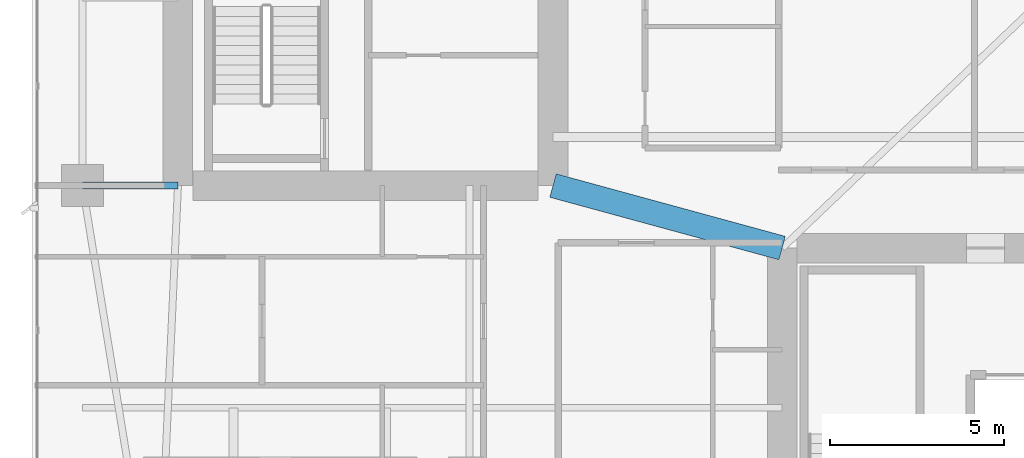
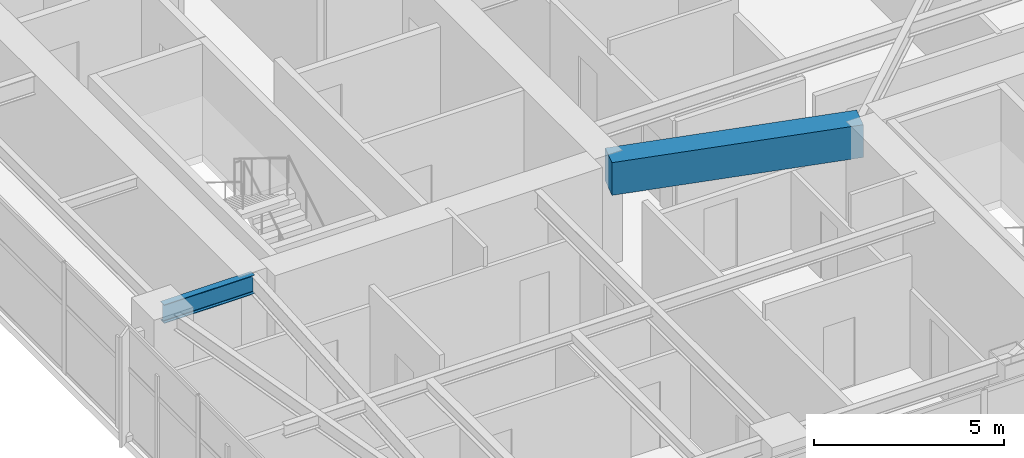
# One storey, part 7 of 29: 2 beams.
"""IFC4 building model written with IfcOpenShell, lengths in metres."""

from ifc_helpers import new_model, si_unit, direction, frame, origin, origin_2d, place, context, subcontext, project, spatial, rectangle, i_section, extrude, material, material_profile, profile_set, type_object, element, save


model = new_model("IFC4")

# Units and contexts
model_context = context("Model", 3, precision=1e-05, world=origin(), true_north=direction((0.0, 1.0)))
body_context = subcontext(model_context, "Body", "Model", "MODEL_VIEW")
ifc_project = project(units=[si_unit("LENGTHUNIT", "METRE"), si_unit("AREAUNIT", "SQUARE_METRE"), si_unit("VOLUMEUNIT", "CUBIC_METRE"), si_unit("PLANEANGLEUNIT", "RADIAN"), si_unit("MASSUNIT", "GRAM", prefix="KILO")], contexts=[model_context])

# Site, building, storey
site_placement = place(None, origin())
site = spatial("IfcSite", under=ifc_project, at=site_placement, CompositionType="ELEMENT")
building_placement = place(site_placement, origin())
building = spatial("IfcBuilding", under=site, at=building_placement, Name="Calvorn Quay Hotel", CompositionType="ELEMENT")
storey_placement = place(building_placement, frame((0.0, 0.0, 148.5)))
storey = spatial("IfcBuildingStorey", under=building, at=storey_placement, Name="L36", CompositionType="ELEMENT", Elevation=148.5)

# Beams
ifc_material_1 = material(Name="Steel Q355B", Category="steel")
ifc_material_profile_1 = material_profile(ifc_material_1, i_section(OverallWidth=0.199951171875, OverallDepth=0.60009765625, WebThickness=0.010986328125, FlangeThickness=0.01708984375, FilletRadius=0.01806640625, at=origin_2d()), Name="HN600x200x11x17")
ifc_profile_set_1 = profile_set([ifc_material_profile_1], Name="Steel Q355B")
beam_type_1 = type_object("IfcBeamType", Name="BM-GIRD-TYP", PredefinedType="BEAM", material=ifc_profile_set_1)
beam_1_placement = place(storey_placement, frame((1.449951171875, 16.800048828125, 3.239990234375), z_axis=(1.0, 0.0, 0.0), x_axis=(0.0, 1.0, 0.0)))
element("IfcBeam", 1, at=beam_1_placement, inside=storey, type_object=beam_type_1, Name="Beam BG-L36-W1", PredefinedType="BEAM", context=body_context, shape_type="SweptSolid", body=[
    extrude(i_section(OverallWidth=0.199951171875, OverallDepth=0.60009765625, WebThickness=0.010986328125, FlangeThickness=0.01708984375, FilletRadius=0.01806640625, at=origin_2d()), origin(), (0.0, 0.0, 1.0), 2.75),
])
ifc_material_2 = material(Name="Concrete C50", Category="concrete")
ifc_material_profile_2 = material_profile(ifc_material_2, rectangle(XDim=0.699951171875, YDim=1.050048828125, at=origin_2d()), Name="RCB700x1050")
ifc_profile_set_2 = profile_set([ifc_material_profile_2], Name="Concrete C50")
beam_type_2 = type_object("IfcBeamType", Name="BM-RC-LINK-700x1050", PredefinedType="BEAM", material=ifc_profile_set_2)
beam_2_placement = place(storey_placement, frame((15.0, 16.800048828125, 3.014892578125), z_axis=(0.964762997686, -0.263120425462, 0.0), x_axis=(0.263120425462, 0.964762997686, 0.0)))
element("IfcBeam", 2, at=beam_2_placement, inside=storey, type_object=beam_type_2, Name="Beam BCL-L36-01", PredefinedType="BEAM", context=body_context, shape_type="SweptSolid", body=[
    extrude(rectangle(XDim=0.699951171875, YDim=1.050048828125, at=origin_2d()), origin(), (0.0, 0.0, 1.0), 6.841064453125),
])

save(model, "model.ifc")
